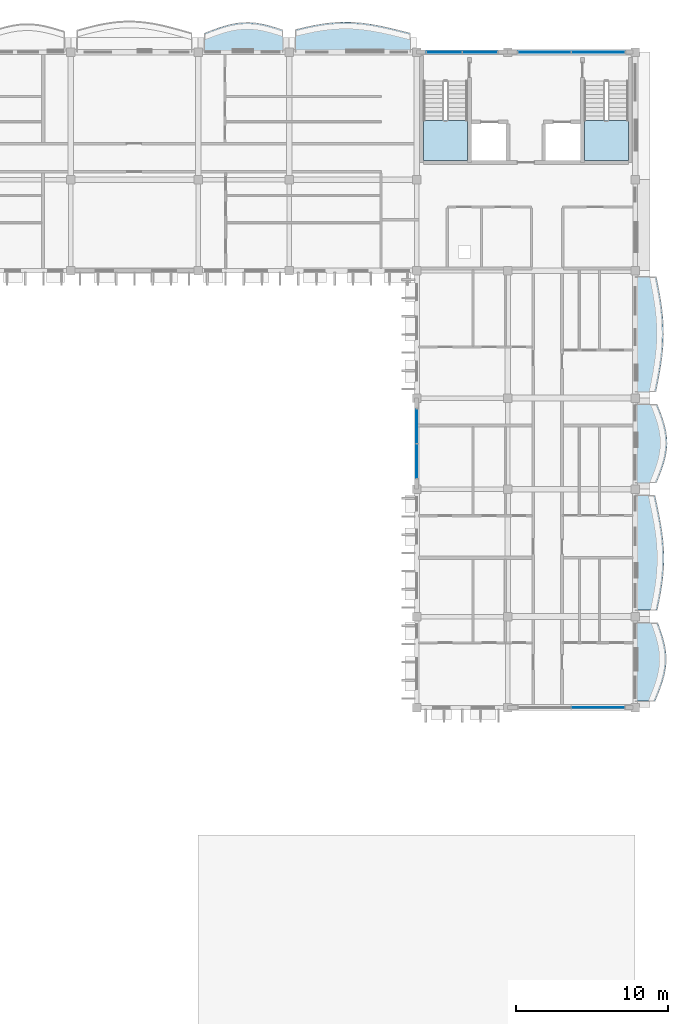
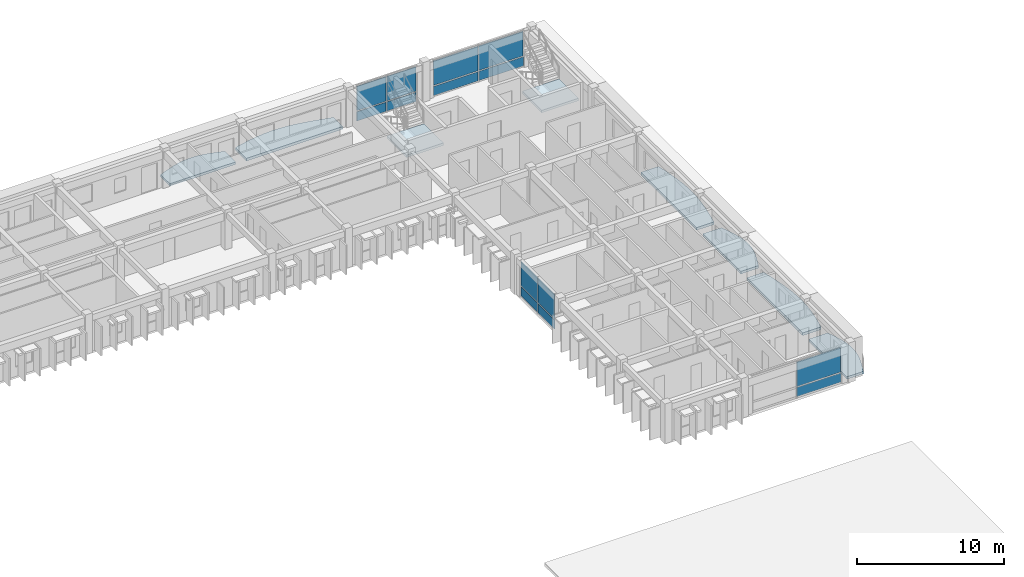
# One storey, part 19 of 54: 14 plates, 8 slabs, 6 elements without a shape of their own.
"""IFC4 building model written with IfcOpenShell, lengths in metres."""

import ifcopenshell
import ifcopenshell.guid

model = None  # the IFC model being written
_history = None  # IfcOwnerHistory: only IFC2X3 demands one
_inside = {}  # id of a spatial element -> (the spatial element, [elements in it])
_under = {}  # id of a project, library or spatial element -> (it, [spatial elements below it])
_declared = {}  # id of a project -> (the project, [libraries it declares])
_typed = {}  # id of a type object -> (the type object, [elements of that type])
_made_of = {}  # id of a material, layer set ... -> (it, [elements and type objects made of it])


def new_model(schema):
    """Start an empty IFC model of exactly this schema.

    Asked for "IFC4X3", IfcOpenShell would pick the latest addendum, in which some entities
    have other attributes; the version numbers below select the first issue.
    IFC2X3 requires an IfcOwnerHistory on every rooted entity: one is made here for all.
    """
    global model, _history
    if schema == "IFC4X3":
        model = ifcopenshell.file(schema_version=(4, 3, 0, 0))
    else:
        model = ifcopenshell.file(schema=schema)
    _inside.clear()
    _under.clear()
    _declared.clear()
    _typed.clear()
    _made_of.clear()
    _history = None
    if model.schema == "IFC2X3":
        org = make("IfcOrganization", Name="unknown")
        user = make(
            "IfcPersonAndOrganization",
            ThePerson=make("IfcPerson", FamilyName="unknown"),
            TheOrganization=org,
        )
        app = make(
            "IfcApplication",
            ApplicationDeveloper=org,
            Version="unknown",
            ApplicationFullName="unknown",
            ApplicationIdentifier="unknown",
        )
        _history = make(
            "IfcOwnerHistory",
            OwningUser=user,
            OwningApplication=app,
            ChangeAction="ADDED",
            CreationDate=0,
        )
    return model


def make(cls, **values):
    """One entity of the class cls with the attributes given. An attribute that is None is left unset."""
    return model.create_entity(
        cls, **{name: value for name, value in values.items() if value is not None}
    )


def rooted(cls, **values):
    """An entity with a GlobalId (a new one), such as an element, a storey or a relation."""
    return make(cls, GlobalId=ifcopenshell.guid.new(), OwnerHistory=_history, **values)


def si_unit(unit_type, name, prefix=None):
    """IfcSIUnit, for example si_unit("LENGTHUNIT", "METRE", prefix="MILLI")."""
    return make("IfcSIUnit", UnitType=unit_type, Prefix=prefix, Name=name)


def assignment(units):
    """IfcUnitAssignment: the units of a project."""
    return None if units is None else make("IfcUnitAssignment", Units=units)


def point(xyz):
    """IfcCartesianPoint."""
    return None if xyz is None else make("IfcCartesianPoint", Coordinates=xyz)


def direction(xyz):
    """IfcDirection."""
    return None if xyz is None else make("IfcDirection", DirectionRatios=xyz)


def frame(location, z_axis=None, x_axis=None):
    """IfcAxis2Placement3D, a coordinate frame: its origin and axes. An axis left out is left unset."""
    return make(
        "IfcAxis2Placement3D",
        Location=point(location),
        Axis=direction(z_axis),
        RefDirection=direction(x_axis),
    )


def frame_2d(location, x_axis=None):
    """IfcAxis2Placement2D, a coordinate frame in the plane: its origin and x axis."""
    return make(
        "IfcAxis2Placement2D", Location=point(location), RefDirection=direction(x_axis)
    )


def origin():
    """The frame at (0, 0, 0) with its axes left unset."""
    return frame((0.0, 0.0, 0.0))


def origin_2d():
    """The frame at (0, 0) in the plane with its x axis left unset."""
    return frame_2d((0.0, 0.0))


def place(relative_to, where):
    """IfcLocalPlacement: puts the frame where relative to a parent placement (None: the world)."""
    return make(
        "IfcLocalPlacement", PlacementRelTo=relative_to, RelativePlacement=where
    )


def context(
    kind, dimensions, precision=None, world=None, true_north=None, identifier=None
):
    """IfcGeometricRepresentationContext, for example the 3D "Model" context."""
    return make(
        "IfcGeometricRepresentationContext",
        ContextIdentifier=identifier,
        ContextType=kind,
        CoordinateSpaceDimension=dimensions,
        Precision=precision,
        WorldCoordinateSystem=world,
        TrueNorth=true_north,
    )


def subcontext(parent, identifier, kind, view, scale=None):
    """IfcGeometricRepresentationSubContext, for example "Body" below "Model"."""
    return make(
        "IfcGeometricRepresentationSubContext",
        ContextIdentifier=identifier,
        ContextType=kind,
        ParentContext=parent,
        TargetScale=scale,
        TargetView=view,
    )


def project(units=None, contexts=None):
    """IfcProject with its units and contexts."""
    return rooted(
        "IfcProject",
        Name="project",
        RepresentationContexts=contexts,
        UnitsInContext=assignment(units),
    )


def spatial(cls, under=None, at=None, **own):
    """A site, building, storey or space (cls), placed at a placement, below another one or the project."""
    s = rooted(cls, ObjectPlacement=at, **own)
    if under is not None:
        _under.setdefault(under.id(), (under, []))[1].append(s)
    return s


def polyline(points):
    """IfcPolyline through the points."""
    return make("IfcPolyline", Points=[point(p) for p in points])


def profile(cls, at=None, kind="AREA", **sizes):
    """A parametric profile (cls). Its sizes go by their IFC names, for example OverallWidth=200.0."""
    return make(cls, ProfileType=kind, Position=at, **sizes)


def rectangle(**sizes):
    """IfcRectangleProfileDef."""
    return profile("IfcRectangleProfileDef", **sizes)


def outline(outer, holes=None, kind="AREA"):
    """IfcArbitraryClosedProfileDef: a profile drawn as a closed curve; with holes, ...WithVoids."""
    if holes is None:
        return make("IfcArbitraryClosedProfileDef", ProfileType=kind, OuterCurve=outer)
    return make(
        "IfcArbitraryProfileDefWithVoids",
        ProfileType=kind,
        OuterCurve=outer,
        InnerCurves=holes,
    )


def extrude(swept, where, along, depth):
    """IfcExtrudedAreaSolid: the profile swept, set in the frame where, extruded along a direction by depth."""
    return make(
        "IfcExtrudedAreaSolid",
        SweptArea=swept,
        Position=where,
        ExtrudedDirection=direction(along),
        Depth=depth,
    )


def shape(context_of_items, identifier, shape_type, items):
    """IfcShapeRepresentation: the items that make up one representation, for example the "Body"."""
    return make(
        "IfcShapeRepresentation",
        ContextOfItems=context_of_items,
        RepresentationIdentifier=identifier,
        RepresentationType=shape_type,
        Items=items,
    )


def material(Name=None, Category=None):
    """IfcMaterial."""
    return make("IfcMaterial", Name=Name, Category=Category)


def layer(
    of_material, thickness, ventilated=None, Name=None, Category=None, Priority=None
):
    """IfcMaterialLayer: one layer of a wall or slab, of a material (None: an air gap)."""
    return make(
        "IfcMaterialLayer",
        Material=of_material,
        LayerThickness=thickness,
        IsVentilated=ventilated,
        Name=Name,
        Category=Category,
        Priority=Priority,
    )


def layer_set(layers, Name=None):
    """IfcMaterialLayerSet."""
    return make("IfcMaterialLayerSet", MaterialLayers=layers, LayerSetName=Name)


def made_of(thing, what):
    """Note that an element or type object is made of a material, layer set ...; save() writes the relation."""
    if what is not None:
        _made_of.setdefault(what.id(), (what, []))[1].append(thing)
    return thing


def type_object(cls, material=None, **own):
    """A type object (cls), such as IfcWallType, which elements share."""
    return made_of(rooted(cls, **own), material)


def element(
    cls,
    number,
    at=None,
    inside=None,
    cuts=None,
    type_object=None,
    material=None,
    context=None,
    identifier="Body",
    shape_type=None,
    held_by="IfcProductDefinitionShape",
    body=None,
    shapes=None,
    **own,
):
    """One element of the class cls, such as IfcWall. Its Tag is "e" and its number.

    at: its placement. inside: the storey or other place that contains it. cuts: it is an
    opening in that element (IfcRelVoidsElement). A single representation is given by context,
    identifier, shape_type and body (its items); several are given by shapes. held_by: the class
    of the entity that holds the representations. save() writes the other relations.
    """
    e = rooted(cls, Tag="e%d" % number, ObjectPlacement=at, **own)
    if body is not None:
        shapes = [shape(context, identifier, shape_type, body)]
    if shapes is not None:
        e.Representation = make(held_by, Representations=shapes)
    if inside is not None:
        _inside.setdefault(inside.id(), (inside, []))[1].append(e)
    if cuts is not None:
        rooted(
            "IfcRelVoidsElement", RelatingBuildingElement=cuts, RelatedOpeningElement=e
        )
    if type_object is not None:
        _typed.setdefault(type_object.id(), (type_object, []))[1].append(e)
    return made_of(e, material)


def aggregate(whole, parts):
    """IfcRelAggregates: a whole, such as a stair, and the parts it consists of."""
    return rooted("IfcRelAggregates", RelatingObject=whole, RelatedObjects=parts)


def save(model, path):
    """Write the relations noted so far, then the file.

    IfcRelAggregates (storeys below a building ...), IfcRelContainedInSpatialStructure (elements
    in a storey), IfcRelDefinesByType, IfcRelAssociatesMaterial and IfcRelDeclares: one each for
    every whole, place, type object, material and project.
    """
    for whole, parts in _under.values():
        aggregate(whole, parts)
    for where, things in _inside.values():
        rooted(
            "IfcRelContainedInSpatialStructure",
            RelatedElements=things,
            RelatingStructure=where,
        )
    for kind, things in _typed.values():
        rooted("IfcRelDefinesByType", RelatedObjects=things, RelatingType=kind)
    for what, things in _made_of.values():
        rooted("IfcRelAssociatesMaterial", RelatedObjects=things, RelatingMaterial=what)
    for by, libraries in _declared.values():
        rooted("IfcRelDeclares", RelatingContext=by, RelatedDefinitions=libraries)
    model.write(path)


model = new_model("IFC4")

# Units and contexts
model_context = context("Model", 3, precision=1e-05, world=origin(), true_north=direction((0.0, 1.0)))
body_context = subcontext(model_context, "Body", "Model", "MODEL_VIEW")
ifc_project = project(units=[si_unit("LENGTHUNIT", "METRE"), si_unit("AREAUNIT", "SQUARE_METRE"), si_unit("VOLUMEUNIT", "CUBIC_METRE"), si_unit("PLANEANGLEUNIT", "RADIAN"), si_unit("MASSUNIT", "GRAM", prefix="KILO"), si_unit("THERMODYNAMICTEMPERATUREUNIT", "KELVIN")], contexts=[model_context])

# Site, building, storey
site_placement = place(None, origin())
site = spatial("IfcSite", under=ifc_project, at=site_placement, CompositionType="ELEMENT")
building_placement = place(site_placement, origin())
building = spatial("IfcBuilding", under=site, at=building_placement, Name="Thalorik Housing Commons", CompositionType="ELEMENT")
storey_placement = place(building_placement, frame((0.0, 0.0, 31.199951171875)))
storey = spatial("IfcBuildingStorey", under=building, at=storey_placement, Name="L09", CompositionType="ELEMENT", Elevation=31.199951171875)

# Curtain wall, plates
ifc_material_1 = material(Name="Anodised aluminium and solar-control low-E glass", Category="aluminium")
curtain_wall_type_1 = type_object("IfcCurtainWallType", Name="ARC-CW-CORE", PredefinedType="USERDEFINED", material=ifc_material_1)
curtain_wall_1_placement = place(storey_placement, origin())
curtain_wall_1 = element("IfcCurtainWall", 1, at=curtain_wall_1_placement, inside=storey, type_object=curtain_wall_type_1, Name="L09 Curtain Wall CW-CORE-L09-B-109", ObjectType="CURTAIN WALL", PredefinedType="USERDEFINED")
ifc_material_2 = material(Name="Cobalt blue enamelled aluminium spandrel panel", Category="aluminium")
ifc_layer_1 = layer(ifc_material_2, 0.0458984375, Name="Cobalt blue enamelled aluminium spandrel panel", Category="aluminium")
ifc_layer_set_1 = layer_set([ifc_layer_1], Name="Cobalt blue enamelled aluminium spandrel panel")
plate_type_1 = type_object("IfcPlateType", Name="ARC-CP-BLU-46", PredefinedType="CURTAIN_PANEL", material=ifc_layer_set_1)
plate_1_placement = place(storey_placement, frame((164.375, 123.60009765625, 0.080078125), z_axis=(0.0, 0.0, 1.0), x_axis=(-1.0, 0.0, 0.0)))
plate_1 = element("IfcPlate", 2, at=plate_1_placement, type_object=plate_type_1, Name="CW-CORE-L09-B-109 Spandrel Panel 1", PredefinedType="CURTAIN_PANEL", context=body_context, shape_type="SweptSolid", body=[
    extrude(rectangle(XDim=3.489990234375, YDim=0.0458984375, at=origin_2d()), origin(), (0.0, 0.0, 1.0), 0.760009765625),
])
plate_2_placement = place(storey_placement, frame((160.824951171875, 123.60009765625, 0.080078125), z_axis=(0.0, 0.0, 1.0), x_axis=(-1.0, 0.0, 0.0)))
plate_2 = element("IfcPlate", 3, at=plate_2_placement, type_object=plate_type_1, Name="CW-CORE-L09-B-109 Spandrel Panel 2", PredefinedType="CURTAIN_PANEL", context=body_context, shape_type="SweptSolid", body=[
    extrude(rectangle(XDim=3.489990234375, YDim=0.0458984375, at=origin_2d()), origin(), (0.0, 0.0, 1.0), 0.760009765625),
])
ifc_material_3 = material(Name="Double solar-control low-E glass", Category="glass")
ifc_layer_2 = layer(ifc_material_3, 0.028076171875, Name="Double solar-control low-E glass", Category="glass")
ifc_layer_set_2 = layer_set([ifc_layer_2], Name="Double solar-control low-E glass")
plate_type_2 = type_object("IfcPlateType", Name="ARC-CP-GLZ-28", PredefinedType="CURTAIN_PANEL", material=ifc_layer_set_2)
plate_3_placement = place(storey_placement, frame((164.375, 123.60009765625, 0.919921875), z_axis=(0.0, 0.0, 1.0), x_axis=(-1.0, 0.0, 0.0)))
plate_3 = element("IfcPlate", 4, at=plate_3_placement, type_object=plate_type_2, Name="CW-CORE-L09-B-109 Vision Panel 1", PredefinedType="CURTAIN_PANEL", context=body_context, shape_type="SweptSolid", body=[
    extrude(rectangle(XDim=3.489990234375, YDim=0.028076171875, at=origin_2d()), origin(), (0.0, 0.0, 1.0), 2.0400390625),
])
plate_4_placement = place(storey_placement, frame((160.824951171875, 123.60009765625, 0.919921875), z_axis=(0.0, 0.0, 1.0), x_axis=(-1.0, 0.0, 0.0)))
plate_4 = element("IfcPlate", 5, at=plate_4_placement, type_object=plate_type_2, Name="CW-CORE-L09-B-109 Vision Panel 2", PredefinedType="CURTAIN_PANEL", context=body_context, shape_type="SweptSolid", body=[
    extrude(rectangle(XDim=3.489990234375, YDim=0.028076171875, at=origin_2d()), origin(), (0.0, 0.0, 1.0), 2.0400390625),
])
aggregate(curtain_wall_1, [plate_1, plate_3, plate_2, plate_4])

curtain_wall_2_placement = place(storey_placement, origin())
curtain_wall_2 = element("IfcCurtainWall", 6, at=curtain_wall_2_placement, inside=storey, type_object=curtain_wall_type_1, Name="L09 Curtain Wall CW-CORE-L09-B-110", ObjectType="CURTAIN WALL", PredefinedType="USERDEFINED")
plate_5_placement = place(storey_placement, frame((156.574951171875, 123.60009765625, 0.919921875), z_axis=(0.0, 0.0, 1.0), x_axis=(-1.0, 0.0, 0.0)))
plate_5 = element("IfcPlate", 7, at=plate_5_placement, type_object=plate_type_2, Name="CW-CORE-L09-B-110 Vision Panel 1", PredefinedType="CURTAIN_PANEL", context=body_context, shape_type="SweptSolid", body=[
    extrude(rectangle(XDim=2.2900390625, YDim=0.028076171875, at=origin_2d()), origin(), (0.0, 0.0, 1.0), 2.0400390625),
])
plate_6_placement = place(storey_placement, frame((154.22509765625, 123.60009765625, 0.919921875), z_axis=(0.0, 0.0, 1.0), x_axis=(-1.0, 0.0, 0.0)))
plate_6 = element("IfcPlate", 8, at=plate_6_placement, type_object=plate_type_2, Name="CW-CORE-L09-B-110 Vision Panel 2", PredefinedType="CURTAIN_PANEL", context=body_context, shape_type="SweptSolid", body=[
    extrude(rectangle(XDim=2.2900390625, YDim=0.028076171875, at=origin_2d()), origin(), (0.0, 0.0, 1.0), 2.0400390625),
])

curtain_wall_type_2 = type_object("IfcCurtainWallType", Name="ARC-CW-LOUNGE", PredefinedType="USERDEFINED", material=ifc_material_1)
curtain_wall_3_placement = place(storey_placement, origin())
curtain_wall_3 = element("IfcCurtainWall", 9, at=curtain_wall_3_placement, inside=storey, type_object=curtain_wall_type_2, Name="L09 Curtain Wall CW-RES-L09-B-113", ObjectType="CURTAIN WALL", PredefinedType="USERDEFINED")
plate_7_placement = place(storey_placement, frame((152.39990234375, 98.949951171875, 0.919921875), z_axis=(0.0, 0.0, 1.0), x_axis=(0.0, -1.0, 0.0)))
plate_7 = element("IfcPlate", 10, at=plate_7_placement, type_object=plate_type_2, Name="CW-RES-L09-B-113 Vision Panel 1", PredefinedType="CURTAIN_PANEL", context=body_context, shape_type="SweptSolid", body=[
    extrude(rectangle(XDim=2.239990234375, YDim=0.028076171875, at=origin_2d()), origin(), (0.0, 0.0, 1.0), 2.0400390625),
])
plate_8_placement = place(storey_placement, frame((152.39990234375, 96.64990234375, 0.919921875), z_axis=(0.0, 0.0, 1.0), x_axis=(0.0, -1.0, 0.0)))
plate_8 = element("IfcPlate", 11, at=plate_8_placement, type_object=plate_type_2, Name="CW-RES-L09-B-113 Vision Panel 2", PredefinedType="CURTAIN_PANEL", context=body_context, shape_type="SweptSolid", body=[
    extrude(rectangle(XDim=2.239990234375, YDim=0.028076171875, at=origin_2d()), origin(), (0.0, 0.0, 1.0), 2.0400390625),
])

curtain_wall_4_placement = place(storey_placement, origin())
curtain_wall_4 = element("IfcCurtainWall", 12, at=curtain_wall_4_placement, inside=storey, type_object=curtain_wall_type_2, Name="L09 Curtain Wall CW-RES-L09-B-114", ObjectType="CURTAIN WALL", PredefinedType="USERDEFINED")
plate_9_placement = place(storey_placement, frame((164.35009765625, 80.39990234375, 0.919921875), z_axis=(0.0, 0.0, 1.0), x_axis=(1.0, 0.0, 0.0)))
plate_9 = element("IfcPlate", 13, at=plate_9_placement, type_object=plate_type_2, Name="CW-RES-L09-B-114 Vision Panel 2", PredefinedType="CURTAIN_PANEL", context=body_context, shape_type="SweptSolid", body=[
    extrude(rectangle(XDim=3.43994140625, YDim=0.028076171875, at=origin_2d()), origin(), (0.0, 0.0, 1.0), 2.0400390625),
])
ifc_material_4 = material(Name="Oxide red enamelled aluminium spandrel panel", Category="aluminium")
ifc_layer_3 = layer(ifc_material_4, 0.0419921875, Name="Oxide red enamelled aluminium spandrel panel", Category="aluminium")
ifc_layer_set_3 = layer_set([ifc_layer_3], Name="Oxide red enamelled aluminium spandrel panel")
plate_type_3 = type_object("IfcPlateType", Name="ARC-CP-RED-42", PredefinedType="CURTAIN_PANEL", material=ifc_layer_set_3)
plate_10_placement = place(storey_placement, frame((164.35009765625, 80.39990234375, 0.080078125), z_axis=(0.0, 0.0, 1.0), x_axis=(1.0, 0.0, 0.0)))
plate_10 = element("IfcPlate", 14, at=plate_10_placement, type_object=plate_type_3, Name="CW-RES-L09-B-114 Spandrel Panel 2", PredefinedType="CURTAIN_PANEL", context=body_context, shape_type="SweptSolid", body=[
    extrude(rectangle(XDim=3.43994140625, YDim=0.0419921875, at=origin_2d()), origin(), (0.0, 0.0, 1.0), 0.760009765625),
])
aggregate(curtain_wall_4, [plate_10, plate_9])

# Plate
ifc_material_5 = material(Name="Mineral ochre yellow aluminium spandrel panel", Category="aluminium")
ifc_layer_4 = layer(ifc_material_5, 0.050048828125, Name="Mineral ochre yellow aluminium spandrel panel", Category="aluminium")
ifc_layer_set_4 = layer_set([ifc_layer_4], Name="Mineral ochre yellow aluminium spandrel panel")
plate_type_4 = type_object("IfcPlateType", Name="ARC-CP-YEL-50", PredefinedType="CURTAIN_PANEL", material=ifc_layer_set_4)
plate_11_placement = place(storey_placement, frame((156.574951171875, 123.60009765625, 0.080078125), z_axis=(0.0, 0.0, 1.0), x_axis=(-1.0, 0.0, 0.0)))
plate_11 = element("IfcPlate", 15, at=plate_11_placement, type_object=plate_type_4, Name="CW-CORE-L09-B-110 Spandrel Panel 1", PredefinedType="CURTAIN_PANEL", context=body_context, shape_type="SweptSolid", body=[
    extrude(rectangle(XDim=2.2900390625, YDim=0.050048828125, at=origin_2d()), origin(), (0.0, 0.0, 1.0), 0.760009765625),
])

plate_12_placement = place(storey_placement, frame((154.22509765625, 123.60009765625, 0.080078125), z_axis=(0.0, 0.0, 1.0), x_axis=(-1.0, 0.0, 0.0)))
plate_12 = element("IfcPlate", 16, at=plate_12_placement, type_object=plate_type_4, Name="CW-CORE-L09-B-110 Spandrel Panel 2", PredefinedType="CURTAIN_PANEL", context=body_context, shape_type="SweptSolid", body=[
    extrude(rectangle(XDim=2.2900390625, YDim=0.050048828125, at=origin_2d()), origin(), (0.0, 0.0, 1.0), 0.760009765625),
])

aggregate(curtain_wall_2, [plate_11, plate_5, plate_12, plate_6])

plate_13_placement = place(storey_placement, frame((152.39990234375, 98.949951171875, 0.080078125), z_axis=(0.0, 0.0, 1.0), x_axis=(0.0, -1.0, 0.0)))
plate_13 = element("IfcPlate", 17, at=plate_13_placement, type_object=plate_type_4, Name="CW-RES-L09-B-113 Spandrel Panel 1", PredefinedType="CURTAIN_PANEL", context=body_context, shape_type="SweptSolid", body=[
    extrude(rectangle(XDim=2.239990234375, YDim=0.050048828125, at=origin_2d()), origin(), (0.0, 0.0, 1.0), 0.760009765625),
])

plate_14_placement = place(storey_placement, frame((152.39990234375, 96.64990234375, 0.080078125), z_axis=(0.0, 0.0, 1.0), x_axis=(0.0, -1.0, 0.0)))
plate_14 = element("IfcPlate", 18, at=plate_14_placement, type_object=plate_type_4, Name="CW-RES-L09-B-113 Spandrel Panel 2", PredefinedType="CURTAIN_PANEL", context=body_context, shape_type="SweptSolid", body=[
    extrude(rectangle(XDim=2.239990234375, YDim=0.050048828125, at=origin_2d()), origin(), (0.0, 0.0, 1.0), 0.760009765625),
])

aggregate(curtain_wall_3, [plate_13, plate_7, plate_14, plate_8])

# Stair, slab
ifc_material_6 = material(Name="Precast concrete C40/50", Category="concrete")
stair_type = type_object("IfcStairType", Name="ARC-STR-1350-R20", PredefinedType="HALF_TURN_STAIR", material=ifc_material_6)
stair_1_placement = place(storey_placement, origin())
stair_1 = element("IfcStair", 19, at=stair_1_placement, inside=storey, type_object=stair_type, Name="L09 Block B Smoke-Proof Stair 1", PredefinedType="HALF_TURN_STAIR")
ifc_layer_5 = layer(ifc_material_6, 0.199951171875, Name="Precast concrete C40/50", Category="concrete")
ifc_layer_set_5 = layer_set([ifc_layer_5], Name="Precast concrete C40/50")
slab_type_1 = type_object("IfcSlabType", Name="ARC-SLB-STLND-200", PredefinedType="LANDING", material=ifc_layer_set_5)
slab_1_placement = place(storey_placement, frame((0.0, 0.0, 1.449951171875)))
slab_1 = element("IfcSlab", 20, at=slab_1_placement, type_object=slab_type_1, Name="ST-B1 landing 1", PredefinedType="LANDING", context=body_context, shape_type="SweptSolid", body=[
    extrude(outline(polyline([(152.85009765625, 119.090087890625), (152.85009765625, 116.449951171875), (155.75, 116.449951171875), (155.75, 119.090087890625), (152.85009765625, 119.090087890625)])), origin(), (0.0, 0.0, 1.0), 0.2001953125),
])
aggregate(stair_1, [slab_1])

stair_2_placement = place(storey_placement, origin())
stair_2 = element("IfcStair", 21, at=stair_2_placement, inside=storey, type_object=stair_type, Name="L09 Block B Smoke-Proof Stair 2", PredefinedType="HALF_TURN_STAIR")
slab_2_placement = place(storey_placement, frame((0.0, 0.0, 1.449951171875)))
slab_2 = element("IfcSlab", 22, at=slab_2_placement, type_object=slab_type_1, Name="ST-B2 landing 1", PredefinedType="LANDING", context=body_context, shape_type="SweptSolid", body=[
    extrude(outline(polyline([(163.449951171875, 119.090087890625), (163.449951171875, 116.449951171875), (166.35009765625, 116.449951171875), (166.35009765625, 119.090087890625), (163.449951171875, 119.090087890625)])), origin(), (0.0, 0.0, 1.0), 0.2001953125),
])
aggregate(stair_2, [slab_2])

# Slabs
ifc_layer_6 = layer(ifc_material_6, 0.199951171875, Name="Precast concrete C40/50", Category="concrete")
ifc_layer_set_6 = layer_set([ifc_layer_6], Name="Precast concrete C40/50")
slab_type_2 = type_object("IfcSlabType", Name="STR-SLB-BALC-200", PredefinedType="FLOOR", material=ifc_layer_set_6)
slab_3_placement = place(storey_placement, frame((0.0, 0.0, -0.199951171875)))
element("IfcSlab", 23, at=slab_3_placement, inside=storey, type_object=slab_type_2, Name="L09 Block B Cushion Balcony 218", PredefinedType="FLOOR", context=body_context, shape_type="SweptSolid", body=[
    extrude(outline(polyline([(138.419921875, 123.60009765625), (143.580078125, 123.60009765625), (143.580078125, 125.0595703125), (143.14990234375, 125.201904296875), (142.719970703125, 125.330810546875), (142.2900390625, 125.43701171875), (141.860107421875, 125.512451171875), (141.429931640625, 125.55126953125), (141.0, 125.55029296875), (140.570068359375, 125.50830078125), (140.139892578125, 125.42822265625), (139.7099609375, 125.314453125), (139.280029296875, 125.174072265625), (138.85009765625, 125.0166015625), (138.419921875, 124.85205078125), (138.419921875, 123.60009765625)])), origin(), (0.0, 0.0, 1.0), 0.199951171875),
])
slab_4_placement = place(storey_placement, frame((0.0, 0.0, -0.199951171875)))
element("IfcSlab", 24, at=slab_4_placement, inside=storey, type_object=slab_type_2, Name="L09 Block B Cushion Balcony 220", PredefinedType="FLOOR", context=body_context, shape_type="SweptSolid", body=[
    extrude(outline(polyline([(168.1015625, 80.820068359375), (168.279541015625, 81.25), (168.4482421875, 81.679931640625), (168.59716796875, 82.110107421875), (168.716552734375, 82.5400390625), (168.79931640625, 82.969970703125), (168.840576171875, 83.39990234375), (168.837890625, 83.830078125), (168.7919921875, 84.260009765625), (168.70703125, 84.68994140625), (168.5888671875, 85.1201171875), (168.44580078125, 85.550048828125), (168.28759765625, 85.97998046875), (166.800048828125, 85.97998046875), (166.800048828125, 80.820068359375), (168.1015625, 80.820068359375)])), origin(), (0.0, 0.0, 1.0), 0.199951171875),
])
slab_5_placement = place(storey_placement, frame((0.0, 0.0, -0.199951171875)))
element("IfcSlab", 25, at=slab_5_placement, inside=storey, type_object=slab_type_2, Name="L09 Block B Cushion Balcony 222", PredefinedType="FLOOR", context=body_context, shape_type="SweptSolid", body=[
    extrude(outline(polyline([(168.190673828125, 95.219970703125), (168.37060546875, 95.64990234375), (168.5380859375, 96.080078125), (168.6826171875, 96.510009765625), (168.794677734375, 96.93994140625), (168.8671875, 97.3701171875), (168.89599609375, 97.800048828125), (168.87890625, 98.22998046875), (168.817138671875, 98.659912109375), (168.71533203125, 99.090087890625), (168.580078125, 99.52001953125), (168.420166015625, 99.949951171875), (168.246337890625, 100.3798828125), (166.800048828125, 100.3798828125), (166.800048828125, 95.219970703125), (168.190673828125, 95.219970703125)])), origin(), (0.0, 0.0, 1.0), 0.199951171875),
])
ifc_layer_7 = layer(ifc_material_6, 0.219970703125, Name="Precast concrete C40/50", Category="concrete")
ifc_layer_set_7 = layer_set([ifc_layer_7], Name="Precast concrete C40/50")
slab_type_3 = type_object("IfcSlabType", Name="STR-SLB-BALC-220", PredefinedType="FLOOR", material=ifc_layer_set_7)
slab_6_placement = place(storey_placement, frame((0.0, 0.0, -0.219970703125)))
element("IfcSlab", 26, at=slab_6_placement, inside=storey, type_object=slab_type_3, Name="L09 Block B Cushion Balcony 219", PredefinedType="FLOOR", context=body_context, shape_type="SweptSolid", body=[
    extrude(outline(polyline([(144.419921875, 123.60009765625), (151.97998046875, 123.60009765625), (151.97998046875, 124.8525390625), (151.35009765625, 125.0087890625), (150.719970703125, 125.162841796875), (150.090087890625, 125.3046875), (149.4599609375, 125.424072265625), (148.830078125, 125.51318359375), (148.199951171875, 125.5654296875), (147.570068359375, 125.5771484375), (146.93994140625, 125.54736328125), (146.31005859375, 125.477783203125), (145.679931640625, 125.373046875), (145.050048828125, 125.239990234375), (144.419921875, 125.087890625), (144.419921875, 123.60009765625)])), origin(), (0.0, 0.0, 1.0), 0.219970703125),
])
slab_7_placement = place(storey_placement, frame((0.0, 0.0, -0.219970703125)))
element("IfcSlab", 27, at=slab_7_placement, inside=storey, type_object=slab_type_3, Name="L09 Block B Cushion Balcony 221", PredefinedType="FLOOR", context=body_context, shape_type="SweptSolid", body=[
    extrude(outline(polyline([(168.24853515625, 86.820068359375), (168.3798828125, 87.449951171875), (168.49658203125, 88.080078125), (168.5908203125, 88.7099609375), (168.656494140625, 89.340087890625), (168.68896484375, 89.969970703125), (168.6865234375, 90.60009765625), (168.649658203125, 91.22998046875), (168.580810546875, 91.860107421875), (168.484619140625, 92.489990234375), (168.36767578125, 93.1201171875), (168.23779296875, 93.75), (168.104248046875, 94.3798828125), (166.800048828125, 94.3798828125), (166.800048828125, 86.820068359375), (168.24853515625, 86.820068359375)])), origin(), (0.0, 0.0, 1.0), 0.219970703125),
])
slab_8_placement = place(storey_placement, frame((0.0, 0.0, -0.219970703125)))
element("IfcSlab", 28, at=slab_8_placement, inside=storey, type_object=slab_type_3, Name="L09 Block B Cushion Balcony 223", PredefinedType="FLOOR", context=body_context, shape_type="SweptSolid", body=[
    extrude(outline(polyline([(168.162841796875, 101.219970703125), (168.2890625, 101.85009765625), (168.40771484375, 102.47998046875), (168.51025390625, 103.110107421875), (168.59033203125, 103.739990234375), (168.642333984375, 104.3701171875), (168.6630859375, 105.0), (168.65087890625, 105.6298828125), (168.6064453125, 106.260009765625), (168.533203125, 106.889892578125), (168.435302734375, 107.52001953125), (168.319580078125, 108.14990234375), (168.193603515625, 108.780029296875), (166.800048828125, 108.780029296875), (166.800048828125, 101.219970703125), (168.162841796875, 101.219970703125)])), origin(), (0.0, 0.0, 1.0), 0.219970703125),
])

save(model, "model.ifc")
